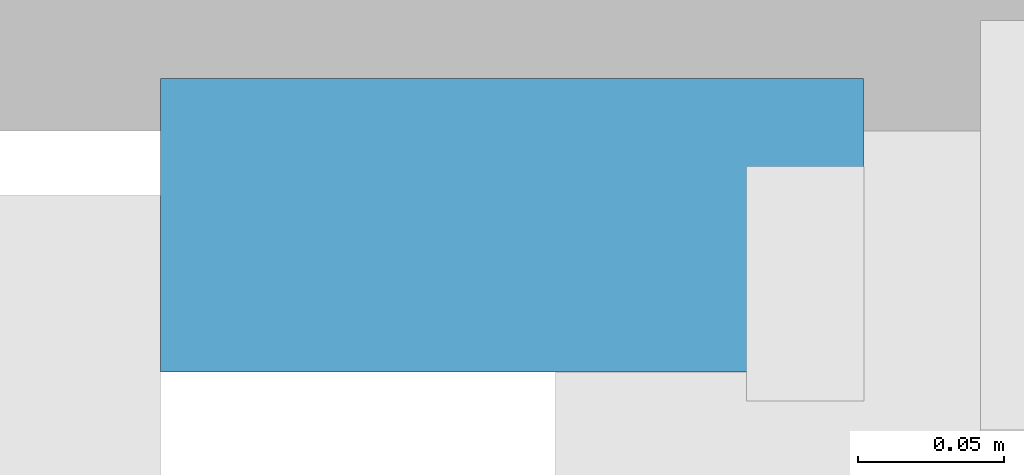
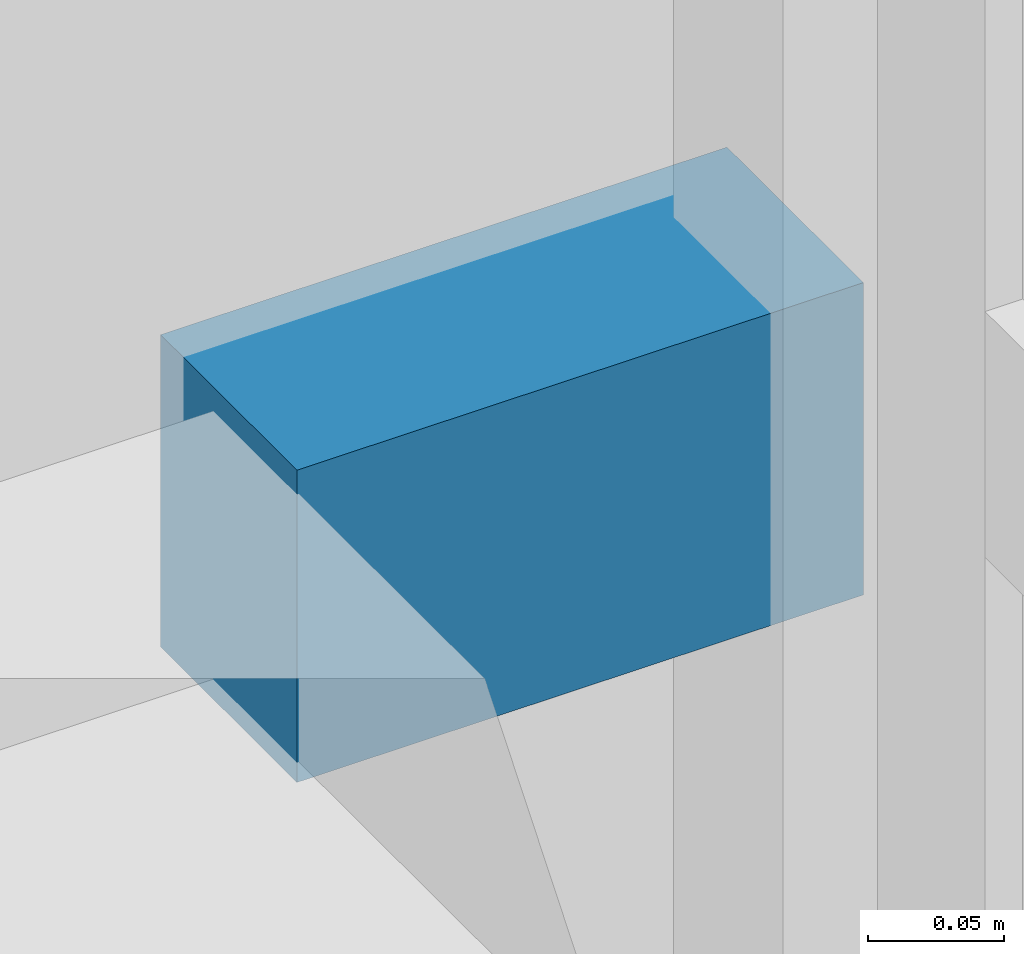
# One storey, part 20 of 36: 1 discrete accessory.
"""IFC4 building model written with IfcOpenShell, lengths in metres."""

import ifcopenshell
import ifcopenshell.guid

model = None  # the IFC model being written
_history = None  # IfcOwnerHistory: only IFC2X3 demands one
_inside = {}  # id of a spatial element -> (the spatial element, [elements in it])
_under = {}  # id of a project, library or spatial element -> (it, [spatial elements below it])
_declared = {}  # id of a project -> (the project, [libraries it declares])
_typed = {}  # id of a type object -> (the type object, [elements of that type])
_made_of = {}  # id of a material, layer set ... -> (it, [elements and type objects made of it])


def new_model(schema):
    """Start an empty IFC model of exactly this schema.

    Asked for "IFC4X3", IfcOpenShell would pick the latest addendum, in which some entities
    have other attributes; the version numbers below select the first issue.
    IFC2X3 requires an IfcOwnerHistory on every rooted entity: one is made here for all.
    """
    global model, _history
    if schema == "IFC4X3":
        model = ifcopenshell.file(schema_version=(4, 3, 0, 0))
    else:
        model = ifcopenshell.file(schema=schema)
    _inside.clear()
    _under.clear()
    _declared.clear()
    _typed.clear()
    _made_of.clear()
    _history = None
    if model.schema == "IFC2X3":
        org = make("IfcOrganization", Name="unknown")
        user = make(
            "IfcPersonAndOrganization",
            ThePerson=make("IfcPerson", FamilyName="unknown"),
            TheOrganization=org,
        )
        app = make(
            "IfcApplication",
            ApplicationDeveloper=org,
            Version="unknown",
            ApplicationFullName="unknown",
            ApplicationIdentifier="unknown",
        )
        _history = make(
            "IfcOwnerHistory",
            OwningUser=user,
            OwningApplication=app,
            ChangeAction="ADDED",
            CreationDate=0,
        )
    return model


def make(cls, **values):
    """One entity of the class cls with the attributes given. An attribute that is None is left unset."""
    return model.create_entity(
        cls, **{name: value for name, value in values.items() if value is not None}
    )


def rooted(cls, **values):
    """An entity with a GlobalId (a new one), such as an element, a storey or a relation."""
    return make(cls, GlobalId=ifcopenshell.guid.new(), OwnerHistory=_history, **values)


def si_unit(unit_type, name, prefix=None):
    """IfcSIUnit, for example si_unit("LENGTHUNIT", "METRE", prefix="MILLI")."""
    return make("IfcSIUnit", UnitType=unit_type, Prefix=prefix, Name=name)


def assignment(units):
    """IfcUnitAssignment: the units of a project."""
    return None if units is None else make("IfcUnitAssignment", Units=units)


def point(xyz):
    """IfcCartesianPoint."""
    return None if xyz is None else make("IfcCartesianPoint", Coordinates=xyz)


def direction(xyz):
    """IfcDirection."""
    return None if xyz is None else make("IfcDirection", DirectionRatios=xyz)


def frame(location, z_axis=None, x_axis=None):
    """IfcAxis2Placement3D, a coordinate frame: its origin and axes. An axis left out is left unset."""
    return make(
        "IfcAxis2Placement3D",
        Location=point(location),
        Axis=direction(z_axis),
        RefDirection=direction(x_axis),
    )


def frame_2d(location, x_axis=None):
    """IfcAxis2Placement2D, a coordinate frame in the plane: its origin and x axis."""
    return make(
        "IfcAxis2Placement2D", Location=point(location), RefDirection=direction(x_axis)
    )


def origin():
    """The frame at (0, 0, 0) with its axes left unset."""
    return frame((0.0, 0.0, 0.0))


def origin_2d():
    """The frame at (0, 0) in the plane with its x axis left unset."""
    return frame_2d((0.0, 0.0))


def place(relative_to, where):
    """IfcLocalPlacement: puts the frame where relative to a parent placement (None: the world)."""
    return make(
        "IfcLocalPlacement", PlacementRelTo=relative_to, RelativePlacement=where
    )


def context(
    kind, dimensions, precision=None, world=None, true_north=None, identifier=None
):
    """IfcGeometricRepresentationContext, for example the 3D "Model" context."""
    return make(
        "IfcGeometricRepresentationContext",
        ContextIdentifier=identifier,
        ContextType=kind,
        CoordinateSpaceDimension=dimensions,
        Precision=precision,
        WorldCoordinateSystem=world,
        TrueNorth=true_north,
    )


def subcontext(parent, identifier, kind, view, scale=None):
    """IfcGeometricRepresentationSubContext, for example "Body" below "Model"."""
    return make(
        "IfcGeometricRepresentationSubContext",
        ContextIdentifier=identifier,
        ContextType=kind,
        ParentContext=parent,
        TargetScale=scale,
        TargetView=view,
    )


def project(units=None, contexts=None):
    """IfcProject with its units and contexts."""
    return rooted(
        "IfcProject",
        Name="project",
        RepresentationContexts=contexts,
        UnitsInContext=assignment(units),
    )


def spatial(cls, under=None, at=None, **own):
    """A site, building, storey or space (cls), placed at a placement, below another one or the project."""
    s = rooted(cls, ObjectPlacement=at, **own)
    if under is not None:
        _under.setdefault(under.id(), (under, []))[1].append(s)
    return s


def profile(cls, at=None, kind="AREA", **sizes):
    """A parametric profile (cls). Its sizes go by their IFC names, for example OverallWidth=200.0."""
    return make(cls, ProfileType=kind, Position=at, **sizes)


def rectangle(**sizes):
    """IfcRectangleProfileDef."""
    return profile("IfcRectangleProfileDef", **sizes)


def extrude(swept, where, along, depth):
    """IfcExtrudedAreaSolid: the profile swept, set in the frame where, extruded along a direction by depth."""
    return make(
        "IfcExtrudedAreaSolid",
        SweptArea=swept,
        Position=where,
        ExtrudedDirection=direction(along),
        Depth=depth,
    )


def shape(context_of_items, identifier, shape_type, items):
    """IfcShapeRepresentation: the items that make up one representation, for example the "Body"."""
    return make(
        "IfcShapeRepresentation",
        ContextOfItems=context_of_items,
        RepresentationIdentifier=identifier,
        RepresentationType=shape_type,
        Items=items,
    )


def material(Name=None, Category=None):
    """IfcMaterial."""
    return make("IfcMaterial", Name=Name, Category=Category)


def made_of(thing, what):
    """Note that an element or type object is made of a material, layer set ...; save() writes the relation."""
    if what is not None:
        _made_of.setdefault(what.id(), (what, []))[1].append(thing)
    return thing


def type_object(cls, material=None, **own):
    """A type object (cls), such as IfcWallType, which elements share."""
    return made_of(rooted(cls, **own), material)


def element(
    cls,
    number,
    at=None,
    inside=None,
    cuts=None,
    type_object=None,
    material=None,
    context=None,
    identifier="Body",
    shape_type=None,
    held_by="IfcProductDefinitionShape",
    body=None,
    shapes=None,
    **own,
):
    """One element of the class cls, such as IfcWall. Its Tag is "e" and its number.

    at: its placement. inside: the storey or other place that contains it. cuts: it is an
    opening in that element (IfcRelVoidsElement). A single representation is given by context,
    identifier, shape_type and body (its items); several are given by shapes. held_by: the class
    of the entity that holds the representations. save() writes the other relations.
    """
    e = rooted(cls, Tag="e%d" % number, ObjectPlacement=at, **own)
    if body is not None:
        shapes = [shape(context, identifier, shape_type, body)]
    if shapes is not None:
        e.Representation = make(held_by, Representations=shapes)
    if inside is not None:
        _inside.setdefault(inside.id(), (inside, []))[1].append(e)
    if cuts is not None:
        rooted(
            "IfcRelVoidsElement", RelatingBuildingElement=cuts, RelatedOpeningElement=e
        )
    if type_object is not None:
        _typed.setdefault(type_object.id(), (type_object, []))[1].append(e)
    return made_of(e, material)


def aggregate(whole, parts):
    """IfcRelAggregates: a whole, such as a stair, and the parts it consists of."""
    return rooted("IfcRelAggregates", RelatingObject=whole, RelatedObjects=parts)


def save(model, path):
    """Write the relations noted so far, then the file.

    IfcRelAggregates (storeys below a building ...), IfcRelContainedInSpatialStructure (elements
    in a storey), IfcRelDefinesByType, IfcRelAssociatesMaterial and IfcRelDeclares: one each for
    every whole, place, type object, material and project.
    """
    for whole, parts in _under.values():
        aggregate(whole, parts)
    for where, things in _inside.values():
        rooted(
            "IfcRelContainedInSpatialStructure",
            RelatedElements=things,
            RelatingStructure=where,
        )
    for kind, things in _typed.values():
        rooted("IfcRelDefinesByType", RelatedObjects=things, RelatingType=kind)
    for what, things in _made_of.values():
        rooted("IfcRelAssociatesMaterial", RelatedObjects=things, RelatingMaterial=what)
    for by, libraries in _declared.values():
        rooted("IfcRelDeclares", RelatingContext=by, RelatedDefinitions=libraries)
    model.write(path)


model = new_model("IFC4")

# Units and contexts
model_context = context("Model", 3, precision=1e-05, world=origin(), true_north=direction((0.0, 1.0)))
body_context = subcontext(model_context, "Body", "Model", "MODEL_VIEW")
ifc_project = project(units=[si_unit("LENGTHUNIT", "METRE"), si_unit("AREAUNIT", "SQUARE_METRE"), si_unit("VOLUMEUNIT", "CUBIC_METRE"), si_unit("PLANEANGLEUNIT", "RADIAN"), si_unit("MASSUNIT", "GRAM", prefix="KILO")], contexts=[model_context])

# Site, building, storey
site_placement = place(None, origin())
site = spatial("IfcSite", under=ifc_project, at=site_placement, CompositionType="ELEMENT")
building_placement = place(site_placement, origin())
building = spatial("IfcBuilding", under=site, at=building_placement, Name="Telukmera Botanical Conservatory", CompositionType="ELEMENT")
storey_placement = place(building_placement, frame((0.0, 0.0, 33.0)))
storey = spatial("IfcBuildingStorey", under=building, at=storey_placement, Name="L07", CompositionType="ELEMENT", Elevation=33.0)

# Discrete accessory
ifc_material = material(Name="Steel S355", Category="steel")
discrete_accessory_type = type_object("IfcDiscreteAccessoryType", Name="Structural Steel Facade Outrigger Fin Bracket", PredefinedType="BRACKET", material=ifc_material)
discrete_accessory_placement = place(storey_placement, frame((50.2099609375, 42.367919921875, 0.8798828125), z_axis=(0.0, 0.0, 1.0), x_axis=(0.0, 1.0, 0.0)))
element("IfcDiscreteAccessory", 1, at=discrete_accessory_placement, inside=storey, type_object=discrete_accessory_type, Name="Facade Outrigger Bracket V4:L07:W4 B", PredefinedType="BRACKET", context=body_context, shape_type="SweptSolid", body=[
    extrude(rectangle(XDim=0.10009765625, YDim=0.239990234375, at=origin_2d()), origin(), (0.0, 0.0, 1.0), 0.139892578125),
])

save(model, "model.ifc")
